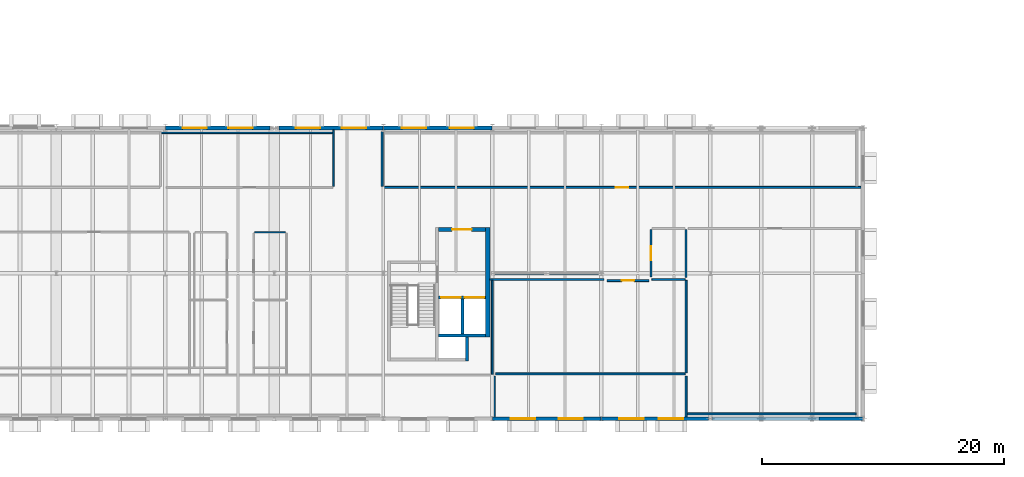
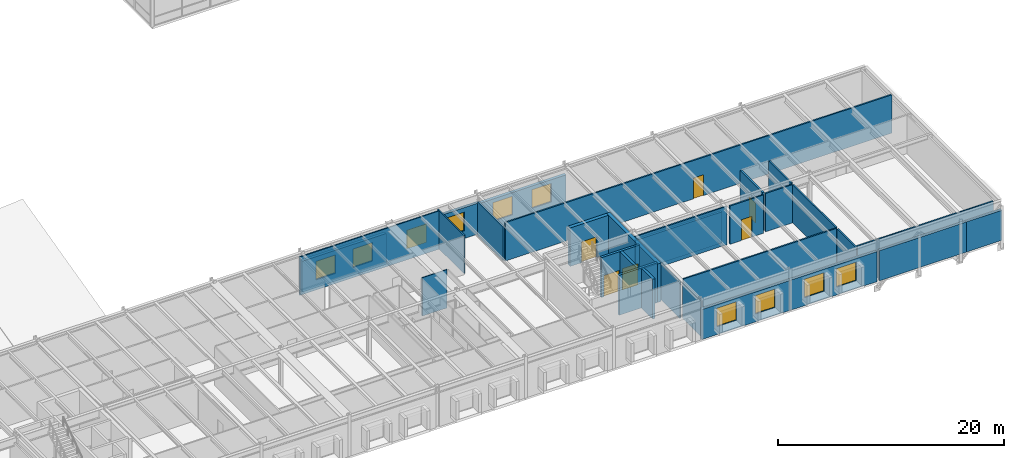
# One storey, part 58 of 67: 30 walls, 10 windows, 6 doors, 16 openings.
"""IFC4 building model written with IfcOpenShell, lengths in metres."""

from ifc_helpers import new_model, si_unit, direction, frame, frame_2d, origin, place, context, subcontext, project, spatial, rectangle, extrude, material, layer, layer_set, type_object, element, fill, save


model = new_model("IFC4")

# Units and contexts
model_context = context("Model", 3, precision=1e-05, world=origin(), true_north=direction((0.0, 1.0)))
body_context = subcontext(model_context, "Body", "Model", "MODEL_VIEW")
ifc_project = project(units=[si_unit("LENGTHUNIT", "METRE"), si_unit("AREAUNIT", "SQUARE_METRE"), si_unit("VOLUMEUNIT", "CUBIC_METRE"), si_unit("PLANEANGLEUNIT", "RADIAN"), si_unit("MASSUNIT", "GRAM", prefix="KILO")], contexts=[model_context])

# Site, building, storey
site_placement = place(None, origin())
site = spatial("IfcSite", under=ifc_project, at=site_placement, CompositionType="ELEMENT")
building_placement = place(site_placement, origin())
building = spatial("IfcBuilding", under=site, at=building_placement, Name="Montelvaro Courts of Justice", CompositionType="ELEMENT")
storey_placement = place(building_placement, frame((0.0, 0.0, 18.89990234375)))
storey = spatial("IfcBuildingStorey", under=building, at=storey_placement, Name="L04", CompositionType="ELEMENT", Elevation=18.89990234375)

# Wall, opening, door
ifc_material_1 = material(Name="Gypsum board on metal stud")
ifc_layer_1 = layer(ifc_material_1, 0.14990234375)
ifc_layer_set_1 = layer_set([ifc_layer_1], Name="Gypsum board on metal stud")
wall_type_1 = type_object("IfcWallType", Name="ChambersPartition_150", PredefinedType="PARTITIONING", material=ifc_layer_set_1)
wall_1_placement = place(storey_placement, frame((147.455078125, 19.10009765625, 0.0), z_axis=(0.0, 0.0, 1.0), x_axis=(-1.0, 0.0, 0.0)))
wall_1 = element("IfcWall", 1, at=wall_1_placement, inside=storey, type_object=wall_type_1, Name="Interior Partition IW-04 (L04)", PredefinedType="PARTITIONING", context=body_context, shape_type="SweptSolid", body=[
    extrude(rectangle(XDim=39.47509765625, YDim=0.14990234375, at=frame_2d((19.737548828125, 0.0))), origin(), (0.0, 0.0, 1.0), 4.14013671875),
])
opening_1_placement = place(wall_1_placement, frame((19.212890625, 0.0, 0.0)))
opening_1 = element("IfcOpeningElement", 2, at=opening_1_placement, cuts=wall_1, Name="Opening D-L04-137", PredefinedType="OPENING", context=body_context, shape_type="SweptSolid", body=[
    extrude(rectangle(XDim=1.050048828125, YDim=2.25, at=frame_2d((0.52490234375, 1.125))), frame((0.0, 0.08984375, 0.0), z_axis=(0.0, -1.0, 0.0), x_axis=(1.0, 0.0, 0.0)), (0.0, 0.0, 1.0), 0.1796875),
])
ifc_material_2 = material(Name="Acoustic oak timber veneer", Category="wood")
door_type_1 = type_object("IfcDoorType", Name="ChamberDoor_105x225", OperationType="NOTDEFINED", PredefinedType="DOOR", material=ifc_material_2)
door_1_placement = place(opening_1_placement, frame((1.050048828125, 0.0, 0.0), z_axis=(0.0, 0.0, 1.0), x_axis=(-1.0, 0.0, 0.0)))
door_1 = element("IfcDoor", 3, at=door_1_placement, inside=storey, type_object=door_type_1, Name="Interior Door D-L04-137 (East Cantilever Prosecutors' Chambers L04)", OperationType="SINGLE_SWING_RIGHT", OverallHeight=2.25, OverallWidth=1.050048828125, PredefinedType="DOOR", context=body_context, shape_type="SweptSolid", body=[
    extrude(rectangle(XDim=1.050048828125, YDim=2.25, at=frame_2d((0.52490234375, 1.125))), frame((0.0, 0.02490234375, 0.0), z_axis=(0.0, -1.0, 0.0), x_axis=(1.0, 0.0, 0.0)), (0.0, 0.0, 1.0), 0.050048828125),
])
fill(opening_1, door_1)

# Wall
wall_2_placement = place(storey_placement, frame((107.89990234375, 19.179931640625, 0.0), z_axis=(0.0, 0.0, 1.0), x_axis=(0.0, 1.0, 0.0)))
element("IfcWall", 4, at=wall_2_placement, inside=storey, type_object=wall_type_1, Name="Interior Partition IW-04 (L04)", PredefinedType="PARTITIONING", context=body_context, shape_type="SweptSolid", body=[
    extrude(rectangle(XDim=4.52197265625, YDim=0.14990234375, at=frame_2d((2.260986328125, 0.0))), origin(), (0.0, 0.0, 1.0), 3.655029296875),
])

# Wall, opening, door
wall_3_placement = place(storey_placement, frame((126.47998046875, 11.39990234375, 0.0), z_axis=(0.0, 0.0, 1.0), x_axis=(1.0, 0.0, 0.0)))
wall_3 = element("IfcWall", 5, at=wall_3_placement, inside=storey, type_object=wall_type_1, Name="Interior Partition IW-04 (L04)", PredefinedType="PARTITIONING", context=body_context, shape_type="SweptSolid", body=[
    extrude(rectangle(XDim=3.43994140625, YDim=0.14990234375, at=frame_2d((1.719970703125, 0.0))), origin(), (0.0, 0.0, 1.0), 4.14013671875),
])
opening_2_placement = place(wall_3_placement, frame((1.195068359375, 0.0, 0.0)))
opening_2 = element("IfcOpeningElement", 6, at=opening_2_placement, cuts=wall_3, Name="Opening D-L04-141", PredefinedType="OPENING", context=body_context, shape_type="SweptSolid", body=[
    extrude(rectangle(XDim=1.050048828125, YDim=2.25, at=frame_2d((0.52490234375, 1.125))), frame((0.0, 0.08984375, 0.0), z_axis=(0.0, -1.0, 0.0), x_axis=(1.0, 0.0, 0.0)), (0.0, 0.0, 1.0), 0.1796875),
])
door_2_placement = place(opening_2_placement, frame((1.050048828125, 0.0, 0.0), z_axis=(0.0, 0.0, 1.0), x_axis=(-1.0, 0.0, 0.0)))
door_2 = element("IfcDoor", 7, at=door_2_placement, inside=storey, type_object=door_type_1, Name="Interior Door D-L04-141 (Jury Deliberation Suite 01)", OperationType="SINGLE_SWING_RIGHT", OverallHeight=2.25, OverallWidth=1.050048828125, PredefinedType="DOOR", context=body_context, shape_type="SweptSolid", body=[
    extrude(rectangle(XDim=1.050048828125, YDim=2.25, at=frame_2d((0.52490234375, 1.125))), frame((0.0, 0.02490234375, 0.0), z_axis=(0.0, -1.0, 0.0), x_axis=(1.0, 0.0, 0.0)), (0.0, 0.0, 1.0), 0.050048828125),
])
fill(opening_2, door_2)

# Walls
wall_4_placement = place(storey_placement, frame((130.179931640625, 11.5, 0.0), z_axis=(0.0, 0.0, 1.0), x_axis=(1.0, 0.0, 0.0)))
element("IfcWall", 8, at=wall_4_placement, inside=storey, type_object=wall_type_1, Name="Interior Partition IW-04 (L04)", PredefinedType="PARTITIONING", context=body_context, shape_type="SweptSolid", body=[
    extrude(rectangle(XDim=2.739990234375, YDim=0.14990234375, at=frame_2d((1.3701171875, 0.0))), origin(), (0.0, 0.0, 1.0), 4.14013671875),
])
wall_5_placement = place(storey_placement, frame((133.0, 11.419921875, 0.0), z_axis=(0.0, 0.0, 1.0), x_axis=(0.0, -1.0, 0.0)))
element("IfcWall", 9, at=wall_5_placement, inside=storey, type_object=wall_type_1, Name="Interior Partition IW-04 (L04)", PredefinedType="PARTITIONING", context=body_context, shape_type="SweptSolid", body=[
    extrude(rectangle(XDim=7.639892578125, YDim=0.14990234375, at=frame_2d((3.81982421875, 0.0))), origin(), (0.0, 0.0, 1.0), 4.14013671875),
])
wall_6_placement = place(storey_placement, frame((132.919921875, 3.699951171875, 0.0), z_axis=(0.0, 0.0, 1.0), x_axis=(-1.0, 0.0, 0.0)))
element("IfcWall", 10, at=wall_6_placement, inside=storey, type_object=wall_type_1, Name="Interior Partition IW-04 (L04)", PredefinedType="PARTITIONING", context=body_context, shape_type="SweptSolid", body=[
    extrude(rectangle(XDim=15.639892578125, YDim=0.14990234375, at=frame_2d((7.81982421875, 0.0))), origin(), (0.0, 0.0, 1.0), 4.14013671875),
])
wall_7_placement = place(storey_placement, frame((117.0, 3.655029296875, 0.0), z_axis=(0.0, 0.0, 1.0), x_axis=(0.0, 1.0, 0.0)))
element("IfcWall", 11, at=wall_7_placement, inside=storey, type_object=wall_type_1, Name="Interior Partition IW-04 (L04)", PredefinedType="PARTITIONING", context=body_context, shape_type="SweptSolid", body=[
    extrude(rectangle(XDim=7.764892578125, YDim=0.14990234375, at=frame_2d((3.88232421875, 0.0))), origin(), (0.0, 0.0, 1.0), 3.905029296875),
])
wall_8_placement = place(storey_placement, frame((116.794921875, 11.5, 0.0), z_axis=(0.0, 0.0, 1.0), x_axis=(1.0, 0.0, 0.0)))
element("IfcWall", 12, at=wall_8_placement, inside=storey, type_object=wall_type_1, Name="Interior Partition IW-04 (L04)", PredefinedType="PARTITIONING", context=body_context, shape_type="SweptSolid", body=[
    extrude(rectangle(XDim=9.425048828125, YDim=0.14990234375, at=frame_2d((4.71240234375, 0.0))), origin(), (0.0, 0.0, 1.0), 4.14013671875),
])
wall_9_placement = place(storey_placement, frame((133.0, 0.14501953125, 0.0), z_axis=(0.0, 0.0, 1.0), x_axis=(0.0, 1.0, 0.0)))
element("IfcWall", 13, at=wall_9_placement, inside=storey, type_object=wall_type_1, Name="Interior Partition IW-04 (L04)", PredefinedType="PARTITIONING", context=body_context, shape_type="SweptSolid", body=[
    extrude(rectangle(XDim=3.375, YDim=0.14990234375, at=frame_2d((1.6875, 0.0))), origin(), (0.0, 0.0, 1.0), 4.14013671875),
])
wall_10_placement = place(storey_placement, frame((147.030029296875, 0.39990234375, 0.0), z_axis=(0.0, 0.0, 1.0), x_axis=(-1.0, 0.0, 0.0)))
element("IfcWall", 14, at=wall_10_placement, inside=storey, type_object=wall_type_1, Name="Interior Partition IW-04 (L04)", PredefinedType="PARTITIONING", context=body_context, shape_type="SweptSolid", body=[
    extrude(rectangle(XDim=13.9599609375, YDim=0.14990234375, at=frame_2d((6.97998046875, 0.0))), origin(), (0.0, 0.0, 1.0), 4.14013671875),
])

# Wall, opening, door
ifc_material_3 = material(Name="Concrete C40/50", Category="concrete")
ifc_layer_2 = layer(ifc_material_3, 0.360107421875)
ifc_layer_set_2 = layer_set([ifc_layer_2], Name="Concrete C40/50")
wall_type_2 = type_object("IfcWallType", Name="CoreWall_360", PredefinedType="SHEAR", material=ifc_layer_set_2)
wall_11_placement = place(storey_placement, frame((112.5400390625, 15.6201171875, 0.0), z_axis=(0.0, 0.0, 1.0), x_axis=(1.0, 0.0, 0.0)))
wall_11 = element("IfcWall", 15, at=wall_11_placement, inside=storey, type_object=wall_type_2, Name="Core Shear Wall CW-01 K2-N (L04)", PredefinedType="SHEAR", context=body_context, shape_type="SweptSolid", body=[
    extrude(rectangle(XDim=3.89990234375, YDim=0.360107421875, at=frame_2d((1.949951171875, 0.0))), origin(), (0.0, 0.0, 1.0), 4.16015625),
])
opening_3_placement = place(wall_11_placement, frame((1.14990234375, 0.0, 0.0)))
opening_3 = element("IfcOpeningElement", 16, at=opening_3_placement, cuts=wall_11, Name="Opening DL-L04-K2", PredefinedType="OPENING", context=body_context, shape_type="SweptSolid", body=[
    extrude(rectangle(XDim=1.60009765625, YDim=2.25, at=frame_2d((0.800048828125, 1.125))), frame((0.0, 0.19482421875, 0.0), z_axis=(0.0, -1.0, 0.0), x_axis=(1.0, 0.0, 0.0)), (0.0, 0.0, 1.0), 0.389892578125),
])
ifc_material_4 = material(Name="Galvanised steel S355 security door", Category="steel")
door_type_2 = type_object("IfcDoorType", Name="LobbyFireDoor_160x225", OperationType="DOUBLE_DOOR_SINGLE_SWING", PredefinedType="DOOR", material=ifc_material_4)
door_3_placement = place(opening_3_placement, origin())
door_3 = element("IfcDoor", 17, at=door_3_placement, inside=storey, type_object=door_type_2, Name="Core Lobby Fire Door DL-L04-K2", OperationType="DOUBLE_DOOR_SINGLE_SWING", OverallHeight=2.25, OverallWidth=1.60009765625, PredefinedType="DOOR", context=body_context, shape_type="SweptSolid", body=[
    extrude(rectangle(XDim=1.60009765625, YDim=2.25, at=frame_2d((0.800048828125, 1.125))), frame((0.0, 0.02490234375, 0.0), z_axis=(0.0, -1.0, 0.0), x_axis=(1.0, 0.0, 0.0)), (0.0, 0.0, 1.0), 0.050048828125),
])
fill(opening_3, door_3)

# Wall
wall_12_placement = place(storey_placement, frame((116.6201171875, 6.760009765625, 0.0), z_axis=(0.0, 0.0, 1.0), x_axis=(0.0, 1.0, 0.0)))
element("IfcWall", 18, at=wall_12_placement, inside=storey, type_object=wall_type_2, Name="Core Shear Wall CW-01 K2-E (L04)", PredefinedType="SHEAR", context=body_context, shape_type="SweptSolid", body=[
    extrude(rectangle(XDim=9.0400390625, YDim=0.360107421875, at=frame_2d((4.52001953125, 0.0))), origin(), (0.0, 0.0, 1.0), 4.16015625),
])

# Wall, opening, door
ifc_material_5 = material(Name="Fire-rated gypsum and steel stud", Category="steel")
ifc_layer_3 = layer(ifc_material_5, 0.179931640625)
ifc_layer_set_3 = layer_set([ifc_layer_3], Name="Fire-rated gypsum and steel stud")
wall_type_3 = type_object("IfcWallType", Name="CorridorFireWall_180", PredefinedType="PARTITIONING", material=ifc_layer_set_3)
wall_13_placement = place(storey_placement, frame((130.10009765625, 11.679931640625, 0.0), z_axis=(0.0, 0.0, 1.0), x_axis=(0.0, 1.0, 0.0)))
wall_13 = element("IfcWall", 19, at=wall_13_placement, inside=storey, type_object=wall_type_3, Name="Interior Partition IW-02 (L04)", PredefinedType="PARTITIONING", context=body_context, shape_type="SweptSolid", body=[
    extrude(rectangle(XDim=3.940185546875, YDim=0.179931640625, at=frame_2d((1.97021484375, 0.0))), origin(), (0.0, 0.0, 1.0), 4.14013671875),
])
opening_4_placement = place(wall_13_placement, frame((1.39501953125, 0.0, 0.0)))
opening_4 = element("IfcOpeningElement", 20, at=opening_4_placement, cuts=wall_13, Name="Opening D-L04-142", PredefinedType="OPENING", context=body_context, shape_type="SweptSolid", body=[
    extrude(rectangle(XDim=1.14990234375, YDim=2.14990234375, at=frame_2d((0.574951171875, 1.074951171875))), frame((0.0, 0.10498046875, 0.0), z_axis=(0.0, -1.0, 0.0), x_axis=(1.0, 0.0, 0.0)), (0.0, 0.0, 1.0), 0.209716796875),
])
door_type_3 = type_object("IfcDoorType", Name="CustodyDoor_115x215", OperationType="NOTDEFINED", PredefinedType="DOOR", material=ifc_material_4)
door_4_placement = place(opening_4_placement, origin())
door_4 = element("IfcDoor", 21, at=door_4_placement, inside=storey, type_object=door_type_3, Name="Interior Door D-L04-142 (Prosecution Case Archive L04)", OperationType="SINGLE_SWING_LEFT", OverallHeight=2.14990234375, OverallWidth=1.14990234375, PredefinedType="DOOR", context=body_context, shape_type="SweptSolid", body=[
    extrude(rectangle(XDim=1.14990234375, YDim=2.14990234375, at=frame_2d((0.574951171875, 1.074951171875))), frame((0.0, 0.02490234375, 0.0), z_axis=(0.0, -1.0, 0.0), x_axis=(1.0, 0.0, 0.0)), (0.0, 0.0, 1.0), 0.050048828125),
])
fill(opening_4, door_4)

# Wall
wall_14_placement = place(storey_placement, frame((133.0, 15.6201171875, 0.0), z_axis=(0.0, 0.0, 1.0), x_axis=(0.0, -1.0, 0.0)))
element("IfcWall", 22, at=wall_14_placement, inside=storey, type_object=wall_type_3, Name="Interior Partition IW-02 (L04)", PredefinedType="PARTITIONING", context=body_context, shape_type="SweptSolid", body=[
    extrude(rectangle(XDim=3.940185546875, YDim=0.179931640625, at=frame_2d((1.97021484375, 0.0))), origin(), (0.0, 0.0, 1.0), 4.14013671875),
])

# Wall, openings, windows
ifc_material_6 = material(Name="White mineral precast concrete C45/55", Category="concrete")
ifc_layer_4 = layer(ifc_material_6, 0.300048828125)
ifc_layer_set_4 = layer_set([ifc_layer_4], Name="White mineral precast concrete C45/55")
wall_type_4 = type_object("IfcWallType", Name="ExtWall_GFRC_300", PredefinedType="SOLIDWALL", material=ifc_layer_set_4)
wall_15_placement = place(storey_placement, frame((98.626953125, 24.0, 0.0), z_axis=(0.0, 0.0, 1.0), x_axis=(-1.0, 0.0, 0.0)))
wall_15 = element("IfcWall", 23, at=wall_15_placement, inside=storey, type_object=wall_type_4, Name="Exterior Facade Wall EW-02 (L04)", PredefinedType="SOLIDWALL", context=body_context, shape_type="SweptSolid", body=[
    extrude(rectangle(XDim=8.618896484375, YDim=0.300048828125, at=frame_2d((4.3095703125, 0.0))), origin(), (0.0, 0.0, 1.0), 3.34521484375),
])
opening_5_placement = place(wall_15_placement, frame((1.4130859375, 0.0, 0.85009765625)))
opening_5 = element("IfcOpeningElement", 24, at=opening_5_placement, cuts=wall_15, Name="Opening WE-11", PredefinedType="OPENING", context=body_context, shape_type="SweptSolid", body=[
    extrude(rectangle(XDim=2.0, YDim=2.0, at=frame_2d((1.0, 1.0))), frame((0.0, 0.1650390625, 0.0), z_axis=(0.0, -1.0, 0.0), x_axis=(1.0, 0.0, 0.0)), (0.0, 0.0, 1.0), 0.329833984375),
])
opening_6_placement = place(wall_15_placement, frame((5.2060546875, 0.0, 0.85009765625)))
opening_6 = element("IfcOpeningElement", 25, at=opening_6_placement, cuts=wall_15, Name="Opening WE-11", PredefinedType="OPENING", context=body_context, shape_type="SweptSolid", body=[
    extrude(rectangle(XDim=2.0, YDim=2.0, at=frame_2d((1.0, 1.0))), frame((0.0, 0.1650390625, 0.0), z_axis=(0.0, -1.0, 0.0), x_axis=(1.0, 0.0, 0.0)), (0.0, 0.0, 1.0), 0.329833984375),
])
ifc_material_7 = material(Name="Low-E solar control double glazing", Category="glass")
window_type = type_object("IfcWindowType", Name="Win_Sq_200x200", PartitioningType="SINGLE_PANEL", PredefinedType="WINDOW", material=ifc_material_7)
window_1_placement = place(opening_5_placement, origin())
window_1 = element("IfcWindow", 26, at=window_1_placement, inside=storey, type_object=window_type, Name="Window W-L04-213", OverallHeight=2.0, OverallWidth=2.0, PartitioningType="SINGLE_PANEL", PredefinedType="WINDOW", context=body_context, shape_type="SweptSolid", body=[
    extrude(rectangle(XDim=2.0, YDim=2.0, at=frame_2d((1.0, 1.0))), frame((0.0, 0.030029296875, 0.0), z_axis=(0.0, -1.0, 0.0), x_axis=(1.0, 0.0, 0.0)), (0.0, 0.0, 1.0), 0.06005859375),
])
fill(opening_5, window_1)
window_2_placement = place(opening_6_placement, origin())
window_2 = element("IfcWindow", 27, at=window_2_placement, inside=storey, type_object=window_type, Name="Window W-L04-214", OverallHeight=2.0, OverallWidth=2.0, PartitioningType="SINGLE_PANEL", PredefinedType="WINDOW", context=body_context, shape_type="SweptSolid", body=[
    extrude(rectangle(XDim=2.0, YDim=2.0, at=frame_2d((1.0, 1.0))), frame((0.0, 0.030029296875, 0.0), z_axis=(0.0, -1.0, 0.0), x_axis=(1.0, 0.0, 0.0)), (0.0, 0.0, 1.0), 0.06005859375),
])
fill(opening_6, window_2)

wall_16_placement = place(storey_placement, frame((117.008056640625, 0.0, 0.0), z_axis=(0.0, 0.0, 1.0), x_axis=(1.0, 0.0, 0.0)))
wall_16 = element("IfcWall", 28, at=wall_16_placement, inside=storey, type_object=wall_type_4, Name="Exterior Facade Wall EW-02 (L04)", PredefinedType="SOLIDWALL", context=body_context, shape_type="SweptSolid", body=[
    extrude(rectangle(XDim=8.98388671875, YDim=0.300048828125, at=frame_2d((4.491943359375, 0.0))), origin(), (0.0, 0.0, 1.0), 3.2470703125),
])
opening_7_placement = place(wall_16_placement, frame((1.51611328125, 0.0, 0.85009765625)))
opening_7 = element("IfcOpeningElement", 29, at=opening_7_placement, cuts=wall_16, Name="Opening WE-11", PredefinedType="OPENING", context=body_context, shape_type="SweptSolid", body=[
    extrude(rectangle(XDim=2.0, YDim=2.0, at=frame_2d((1.0, 1.0))), frame((0.0, 0.1650390625, 0.0), z_axis=(0.0, -1.0, 0.0), x_axis=(1.0, 0.0, 0.0)), (0.0, 0.0, 1.0), 0.329833984375),
])
opening_8_placement = place(wall_16_placement, frame((5.468017578125, 0.0, 0.85009765625)))
opening_8 = element("IfcOpeningElement", 30, at=opening_8_placement, cuts=wall_16, Name="Opening WE-11", PredefinedType="OPENING", context=body_context, shape_type="SweptSolid", body=[
    extrude(rectangle(XDim=2.0, YDim=2.0, at=frame_2d((1.0, 1.0))), frame((0.0, 0.1650390625, 0.0), z_axis=(0.0, -1.0, 0.0), x_axis=(1.0, 0.0, 0.0)), (0.0, 0.0, 1.0), 0.329833984375),
])
window_3_placement = place(opening_7_placement, origin())
window_3 = element("IfcWindow", 31, at=window_3_placement, inside=storey, type_object=window_type, Name="Window W-L04-221", OverallHeight=2.0, OverallWidth=2.0, PartitioningType="SINGLE_PANEL", PredefinedType="WINDOW", context=body_context, shape_type="SweptSolid", body=[
    extrude(rectangle(XDim=2.0, YDim=2.0, at=frame_2d((1.0, 1.0))), frame((0.0, 0.030029296875, 0.0), z_axis=(0.0, -1.0, 0.0), x_axis=(1.0, 0.0, 0.0)), (0.0, 0.0, 1.0), 0.06005859375),
])
fill(opening_7, window_3)
window_4_placement = place(opening_8_placement, origin())
window_4 = element("IfcWindow", 32, at=window_4_placement, inside=storey, type_object=window_type, Name="Window W-L04-222", OverallHeight=2.0, OverallWidth=2.0, PartitioningType="SINGLE_PANEL", PredefinedType="WINDOW", context=body_context, shape_type="SweptSolid", body=[
    extrude(rectangle(XDim=2.0, YDim=2.0, at=frame_2d((1.0, 1.0))), frame((0.0, 0.030029296875, 0.0), z_axis=(0.0, -1.0, 0.0), x_axis=(1.0, 0.0, 0.0)), (0.0, 0.0, 1.0), 0.06005859375),
])
fill(opening_8, window_4)

wall_17_placement = place(storey_placement, frame((126.008056640625, 0.0, 0.0), z_axis=(0.0, 0.0, 1.0), x_axis=(1.0, 0.0, 0.0)))
wall_17 = element("IfcWall", 33, at=wall_17_placement, inside=storey, type_object=wall_type_4, Name="Exterior Facade Wall EW-02 (L04)", PredefinedType="SOLIDWALL", context=body_context, shape_type="SweptSolid", body=[
    extrude(rectangle(XDim=8.85400390625, YDim=0.300048828125, at=frame_2d((4.427001953125, 0.0))), origin(), (0.0, 0.0, 1.0), 3.2470703125),
])
opening_9_placement = place(wall_17_placement, frame((1.47900390625, 0.0, 0.85009765625)))
opening_9 = element("IfcOpeningElement", 34, at=opening_9_placement, cuts=wall_17, Name="Opening WE-11", PredefinedType="OPENING", context=body_context, shape_type="SweptSolid", body=[
    extrude(rectangle(XDim=2.0, YDim=2.0, at=frame_2d((1.0, 1.0))), frame((0.0, 0.1650390625, 0.0), z_axis=(0.0, -1.0, 0.0), x_axis=(1.0, 0.0, 0.0)), (0.0, 0.0, 1.0), 0.329833984375),
])
opening_10_placement = place(wall_17_placement, frame((4.751953125, 0.0, 0.85009765625)))
opening_10 = element("IfcOpeningElement", 35, at=opening_10_placement, cuts=wall_17, Name="Opening WE-11", PredefinedType="OPENING", context=body_context, shape_type="SweptSolid", body=[
    extrude(rectangle(XDim=2.0, YDim=2.0, at=frame_2d((1.0, 1.0))), frame((0.0, 0.1650390625, 0.0), z_axis=(0.0, -1.0, 0.0), x_axis=(1.0, 0.0, 0.0)), (0.0, 0.0, 1.0), 0.329833984375),
])
window_5_placement = place(opening_9_placement, origin())
window_5 = element("IfcWindow", 36, at=window_5_placement, inside=storey, type_object=window_type, Name="Window W-L04-223", OverallHeight=2.0, OverallWidth=2.0, PartitioningType="SINGLE_PANEL", PredefinedType="WINDOW", context=body_context, shape_type="SweptSolid", body=[
    extrude(rectangle(XDim=2.0, YDim=2.0, at=frame_2d((1.0, 1.0))), frame((0.0, 0.030029296875, 0.0), z_axis=(0.0, -1.0, 0.0), x_axis=(1.0, 0.0, 0.0)), (0.0, 0.0, 1.0), 0.06005859375),
])
fill(opening_9, window_5)
window_6_placement = place(opening_10_placement, origin())
window_6 = element("IfcWindow", 37, at=window_6_placement, inside=storey, type_object=window_type, Name="Window W-L04-224", OverallHeight=2.0, OverallWidth=2.0, PartitioningType="SINGLE_PANEL", PredefinedType="WINDOW", context=body_context, shape_type="SweptSolid", body=[
    extrude(rectangle(XDim=2.0, YDim=2.0, at=frame_2d((1.0, 1.0))), frame((0.0, 0.030029296875, 0.0), z_axis=(0.0, -1.0, 0.0), x_axis=(1.0, 0.0, 0.0)), (0.0, 0.0, 1.0), 0.06005859375),
])
fill(opening_10, window_6)

# Walls
wall_18_placement = place(storey_placement, frame((135.137939453125, 0.0, 0.0), z_axis=(0.0, 0.0, 1.0), x_axis=(1.0, 0.0, 0.0)))
element("IfcWall", 38, at=wall_18_placement, inside=storey, type_object=wall_type_4, Name="Exterior Facade Wall EW-02 (L04)", PredefinedType="SOLIDWALL", context=body_context, shape_type="SweptSolid", body=[
    extrude(rectangle(XDim=8.8720703125, YDim=0.300048828125, at=frame_2d((4.43603515625, 0.0))), origin(), (0.0, 0.0, 1.0), 3.2470703125),
])
wall_19_placement = place(storey_placement, frame((143.989990234375, 0.0, 0.0), z_axis=(0.0, 0.0, 1.0), x_axis=(1.0, 0.0, 0.0)))
element("IfcWall", 39, at=wall_19_placement, inside=storey, type_object=wall_type_4, Name="Exterior Facade Wall EW-02 (L04)", PredefinedType="SOLIDWALL", context=body_context, shape_type="SweptSolid", body=[
    extrude(rectangle(XDim=3.64990234375, YDim=0.300048828125, at=frame_2d((1.824951171875, 0.0))), origin(), (0.0, 0.0, 1.0), 3.2470703125),
])

# Wall, openings, windows
wall_20_placement = place(storey_placement, frame((116.991943359375, 24.0, 0.0), z_axis=(0.0, 0.0, 1.0), x_axis=(-1.0, 0.0, 0.0)))
wall_20 = element("IfcWall", 40, at=wall_20_placement, inside=storey, type_object=wall_type_4, Name="Exterior Facade Wall EW-02 (L04)", PredefinedType="SOLIDWALL", context=body_context, shape_type="SweptSolid", body=[
    extrude(rectangle(XDim=8.98388671875, YDim=0.300048828125, at=frame_2d((4.491943359375, 0.0))), origin(), (0.0, 0.0, 1.0), 3.2470703125),
])
opening_11_placement = place(wall_20_placement, frame((1.51611328125, 0.0, 0.85009765625)))
opening_11 = element("IfcOpeningElement", 41, at=opening_11_placement, cuts=wall_20, Name="Opening WE-11", PredefinedType="OPENING", context=body_context, shape_type="SweptSolid", body=[
    extrude(rectangle(XDim=2.0, YDim=2.0, at=frame_2d((1.0, 1.0))), frame((0.0, 0.1650390625, 0.0), z_axis=(0.0, -1.0, 0.0), x_axis=(1.0, 0.0, 0.0)), (0.0, 0.0, 1.0), 0.329833984375),
])
opening_12_placement = place(wall_20_placement, frame((5.468017578125, 0.0, 0.85009765625)))
opening_12 = element("IfcOpeningElement", 42, at=opening_12_placement, cuts=wall_20, Name="Opening WE-11", PredefinedType="OPENING", context=body_context, shape_type="SweptSolid", body=[
    extrude(rectangle(XDim=2.0, YDim=2.0, at=frame_2d((1.0, 1.0))), frame((0.0, 0.1650390625, 0.0), z_axis=(0.0, -1.0, 0.0), x_axis=(1.0, 0.0, 0.0)), (0.0, 0.0, 1.0), 0.329833984375),
])
window_7_placement = place(opening_11_placement, origin())
window_7 = element("IfcWindow", 43, at=window_7_placement, inside=storey, type_object=window_type, Name="Window W-L04-233", OverallHeight=2.0, OverallWidth=2.0, PartitioningType="SINGLE_PANEL", PredefinedType="WINDOW", context=body_context, shape_type="SweptSolid", body=[
    extrude(rectangle(XDim=2.0, YDim=2.0, at=frame_2d((1.0, 1.0))), frame((0.0, 0.030029296875, 0.0), z_axis=(0.0, -1.0, 0.0), x_axis=(1.0, 0.0, 0.0)), (0.0, 0.0, 1.0), 0.06005859375),
])
fill(opening_11, window_7)
window_8_placement = place(opening_12_placement, origin())
window_8 = element("IfcWindow", 44, at=window_8_placement, inside=storey, type_object=window_type, Name="Window W-L04-234", OverallHeight=2.0, OverallWidth=2.0, PartitioningType="SINGLE_PANEL", PredefinedType="WINDOW", context=body_context, shape_type="SweptSolid", body=[
    extrude(rectangle(XDim=2.0, YDim=2.0, at=frame_2d((1.0, 1.0))), frame((0.0, 0.030029296875, 0.0), z_axis=(0.0, -1.0, 0.0), x_axis=(1.0, 0.0, 0.0)), (0.0, 0.0, 1.0), 0.06005859375),
])
fill(opening_12, window_8)

wall_21_placement = place(storey_placement, frame((107.991943359375, 24.0, 0.0), z_axis=(0.0, 0.0, 1.0), x_axis=(-1.0, 0.0, 0.0)))
wall_21 = element("IfcWall", 45, at=wall_21_placement, inside=storey, type_object=wall_type_4, Name="Exterior Facade Wall EW-02 (L04)", PredefinedType="SOLIDWALL", context=body_context, shape_type="SweptSolid", body=[
    extrude(rectangle(XDim=8.618896484375, YDim=0.300048828125, at=frame_2d((4.3095703125, 0.0))), origin(), (0.0, 0.0, 1.0), 3.34521484375),
])
opening_13_placement = place(wall_21_placement, frame((1.4130859375, 0.0, 0.85009765625)))
opening_13 = element("IfcOpeningElement", 46, at=opening_13_placement, cuts=wall_21, Name="Opening WE-11", PredefinedType="OPENING", context=body_context, shape_type="SweptSolid", body=[
    extrude(rectangle(XDim=2.0, YDim=2.0, at=frame_2d((1.0, 1.0))), frame((0.0, 0.1650390625, 0.0), z_axis=(0.0, -1.0, 0.0), x_axis=(1.0, 0.0, 0.0)), (0.0, 0.0, 1.0), 0.329833984375),
])
opening_14_placement = place(wall_21_placement, frame((5.2060546875, 0.0, 0.85009765625)))
opening_14 = element("IfcOpeningElement", 47, at=opening_14_placement, cuts=wall_21, Name="Opening WE-11", PredefinedType="OPENING", context=body_context, shape_type="SweptSolid", body=[
    extrude(rectangle(XDim=2.0, YDim=2.0, at=frame_2d((1.0, 1.0))), frame((0.0, 0.1650390625, 0.0), z_axis=(0.0, -1.0, 0.0), x_axis=(1.0, 0.0, 0.0)), (0.0, 0.0, 1.0), 0.329833984375),
])
window_9_placement = place(opening_13_placement, origin())
window_9 = element("IfcWindow", 48, at=window_9_placement, inside=storey, type_object=window_type, Name="Window W-L04-235", OverallHeight=2.0, OverallWidth=2.0, PartitioningType="SINGLE_PANEL", PredefinedType="WINDOW", context=body_context, shape_type="SweptSolid", body=[
    extrude(rectangle(XDim=2.0, YDim=2.0, at=frame_2d((1.0, 1.0))), frame((0.0, 0.030029296875, 0.0), z_axis=(0.0, -1.0, 0.0), x_axis=(1.0, 0.0, 0.0)), (0.0, 0.0, 1.0), 0.06005859375),
])
fill(opening_13, window_9)
window_10_placement = place(opening_14_placement, origin())
window_10 = element("IfcWindow", 49, at=window_10_placement, inside=storey, type_object=window_type, Name="Window W-L04-236", OverallHeight=2.0, OverallWidth=2.0, PartitioningType="SINGLE_PANEL", PredefinedType="WINDOW", context=body_context, shape_type="SweptSolid", body=[
    extrude(rectangle(XDim=2.0, YDim=2.0, at=frame_2d((1.0, 1.0))), frame((0.0, 0.030029296875, 0.0), z_axis=(0.0, -1.0, 0.0), x_axis=(1.0, 0.0, 0.0)), (0.0, 0.0, 1.0), 0.06005859375),
])
fill(opening_14, window_10)

# Walls
ifc_layer_5 = layer(ifc_material_1, 0.1201171875)
ifc_layer_set_5 = layer_set([ifc_layer_5], Name="Gypsum board on metal stud")
wall_type_5 = type_object("IfcWallType", Name="OfficePartition_120", PredefinedType="PARTITIONING", material=ifc_layer_set_5)
wall_22_placement = place(storey_placement, frame((117.199951171875, 3.52001953125, 0.0), z_axis=(0.0, 0.0, 1.0), x_axis=(0.0, -1.0, 0.0)))
element("IfcWall", 50, at=wall_22_placement, inside=storey, type_object=wall_type_5, Name="Interior Partition IW-05 (L04)", PredefinedType="PARTITIONING", context=body_context, shape_type="SweptSolid", body=[
    extrude(rectangle(XDim=3.35205078125, YDim=0.1201171875, at=frame_2d((1.676025390625, 0.0))), origin(), (0.0, 0.0, 1.0), 3.905029296875),
])
wall_23_placement = place(storey_placement, frame((89.60791015625, 23.60009765625, 0.0), z_axis=(0.0, 0.0, 1.0), x_axis=(1.0, 0.0, 0.0)))
element("IfcWall", 51, at=wall_23_placement, inside=storey, type_object=wall_type_5, Name="Interior Partition IW-05 (L04)", PredefinedType="PARTITIONING", context=body_context, shape_type="SweptSolid", body=[
    extrude(rectangle(XDim=14.212158203125, YDim=0.1201171875, at=frame_2d((7.10595703125, 0.0))), origin(), (0.0, 0.0, 1.0), 4.14013671875),
])
wall_24_placement = place(storey_placement, frame((103.89990234375, 23.85498046875, 0.0), z_axis=(0.0, 0.0, 1.0), x_axis=(0.0, -1.0, 0.0)))
element("IfcWall", 52, at=wall_24_placement, inside=storey, type_object=wall_type_5, Name="Interior Partition IW-05 (L04)", PredefinedType="PARTITIONING", context=body_context, shape_type="SweptSolid", body=[
    extrude(rectangle(XDim=4.675048828125, YDim=0.1201171875, at=frame_2d((2.33740234375, 0.0))), origin(), (0.0, 0.0, 1.0), 4.14013671875),
])

# Wall, openings, doors
ifc_material_8 = material(Name="Concrete C35/45", Category="concrete")
ifc_layer_6 = layer(ifc_material_8, 0.239990234375)
ifc_layer_set_6 = layer_set([ifc_layer_6], Name="Concrete C35/45")
wall_type_6 = type_object("IfcWallType", Name="ShaftWall_240", PredefinedType="SHEAR", material=ifc_layer_set_6)
wall_25_placement = place(storey_placement, frame((112.5400390625, 10.02001953125, 0.0), z_axis=(0.0, 0.0, 1.0), x_axis=(1.0, 0.0, 0.0)))
wall_25 = element("IfcWall", 53, at=wall_25_placement, inside=storey, type_object=wall_type_6, Name="Lift Shaft Bank Wall K2 (L04)", PredefinedType="SHEAR", context=body_context, shape_type="SweptSolid", body=[
    extrude(rectangle(XDim=3.89990234375, YDim=0.239990234375, at=frame_2d((1.949951171875, 0.0))), origin(), (0.0, 0.0, 1.0), 4.31005859375),
])
opening_15_placement = place(wall_25_placement, frame((0.235107421875, 0.0, 0.0)))
opening_15 = element("IfcOpeningElement", 54, at=opening_15_placement, cuts=wall_25, Name="Opening LD-LF-02-L04", PredefinedType="OPENING", context=body_context, shape_type="SweptSolid", body=[
    extrude(rectangle(XDim=1.60009765625, YDim=2.300048828125, at=frame_2d((0.800048828125, 1.14990234375))), frame((0.0, 0.134765625, 0.0), z_axis=(0.0, -1.0, 0.0), x_axis=(1.0, 0.0, 0.0)), (0.0, 0.0, 1.0), 0.269775390625),
])
opening_16_placement = place(wall_25_placement, frame((2.18505859375, 0.0, 0.0)))
opening_16 = element("IfcOpeningElement", 55, at=opening_16_placement, cuts=wall_25, Name="Opening LD-LJ-02-L04", PredefinedType="OPENING", context=body_context, shape_type="SweptSolid", body=[
    extrude(rectangle(XDim=1.60009765625, YDim=2.300048828125, at=frame_2d((0.800048828125, 1.14990234375))), frame((0.0, 0.134765625, 0.0), z_axis=(0.0, -1.0, 0.0), x_axis=(1.0, 0.0, 0.0)), (0.0, 0.0, 1.0), 0.269775390625),
])
door_type_4 = type_object("IfcDoorType", Name="LiftDoor_160x230", OperationType="DOUBLE_DOOR_SLIDING", PredefinedType="DOOR", material=ifc_material_4)
door_5_placement = place(opening_15_placement, origin())
door_5 = element("IfcDoor", 56, at=door_5_placement, inside=storey, type_object=door_type_4, Name="Lift Landing Sliding Door LD-LF-02-L04", OperationType="DOUBLE_DOOR_SLIDING", OverallHeight=2.300048828125, OverallWidth=1.60009765625, PredefinedType="DOOR", context=body_context, shape_type="SweptSolid", body=[
    extrude(rectangle(XDim=1.60009765625, YDim=2.300048828125, at=frame_2d((0.800048828125, 1.14990234375))), frame((0.0, 0.02490234375, 0.0), z_axis=(0.0, -1.0, 0.0), x_axis=(1.0, 0.0, 0.0)), (0.0, 0.0, 1.0), 0.050048828125),
])
fill(opening_15, door_5)
door_6_placement = place(opening_16_placement, origin())
door_6 = element("IfcDoor", 57, at=door_6_placement, inside=storey, type_object=door_type_4, Name="Lift Landing Sliding Door LD-LJ-02-L04", OperationType="DOUBLE_DOOR_SLIDING", OverallHeight=2.300048828125, OverallWidth=1.60009765625, PredefinedType="DOOR", context=body_context, shape_type="SweptSolid", body=[
    extrude(rectangle(XDim=1.60009765625, YDim=2.300048828125, at=frame_2d((0.800048828125, 1.14990234375))), frame((0.0, 0.02490234375, 0.0), z_axis=(0.0, -1.0, 0.0), x_axis=(1.0, 0.0, 0.0)), (0.0, 0.0, 1.0), 0.050048828125),
])
fill(opening_16, door_6)

# Walls
wall_26_placement = place(storey_placement, frame((112.5400390625, 6.8798828125, 0.0), z_axis=(0.0, 0.0, 1.0), x_axis=(1.0, 0.0, 0.0)))
element("IfcWall", 58, at=wall_26_placement, inside=storey, type_object=wall_type_6, Name="Lift Shaft Back Wall K2 (L04)", PredefinedType="SHEAR", context=body_context, shape_type="SweptSolid", body=[
    extrude(rectangle(XDim=3.89990234375, YDim=0.239990234375, at=frame_2d((1.949951171875, 0.0))), origin(), (0.0, 0.0, 1.0), 4.31005859375),
])
wall_27_placement = place(storey_placement, frame((114.550048828125, 7.0, 0.0), z_axis=(0.0, 0.0, 1.0), x_axis=(0.0, 1.0, 0.0)))
element("IfcWall", 59, at=wall_27_placement, inside=storey, type_object=wall_type_6, Name="Lift Shaft Divider Wall K2-LFD1 (L04)", PredefinedType="SHEAR", context=body_context, shape_type="SweptSolid", body=[
    extrude(rectangle(XDim=2.89990234375, YDim=0.239990234375, at=frame_2d((1.449951171875, 0.0))), origin(), (0.0, 0.0, 1.0), 4.31005859375),
])
wall_28_placement = place(storey_placement, frame((114.919921875, 4.760009765625, 0.0), z_axis=(0.0, 0.0, 1.0), x_axis=(0.0, 1.0, 0.0)))
element("IfcWall", 60, at=wall_28_placement, inside=storey, type_object=wall_type_6, Name="Service Riser East Shaft Wall K2 (L04)", PredefinedType="SHEAR", context=body_context, shape_type="SweptSolid", body=[
    extrude(rectangle(XDim=2.0, YDim=0.239990234375, at=frame_2d((1.0, 0.0))), origin(), (0.0, 0.0, 1.0), 4.31005859375),
])
wall_29_placement = place(storey_placement, frame((117.177978515625, 12.0, 0.0), z_axis=(0.0, 0.0, 1.0), x_axis=(1.0, 0.0, 0.0)))
element("IfcWall", 61, at=wall_29_placement, inside=storey, type_object=wall_type_6, Name="Enclosed Braced Frame Structural Wall CBF2 (L04)", PredefinedType="SHEAR", context=body_context, shape_type="SweptSolid", body=[
    extrude(rectangle(XDim=8.81396484375, YDim=0.239990234375, at=frame_2d((4.406982421875, 0.0))), origin(), (0.0, 0.0, 1.0), 3.35498046875),
])
ifc_material_9 = material(Name="Moisture-resistant cement board")
ifc_layer_7 = layer(ifc_material_9, 0.10009765625)
ifc_layer_set_7 = layer_set([ifc_layer_7], Name="Moisture-resistant cement board")
wall_type_7 = type_object("IfcWallType", Name="WetWall_100", PredefinedType="PARTITIONING", material=ifc_layer_set_7)
wall_30_placement = place(storey_placement, frame((97.3798828125, 15.39990234375, 0.0), z_axis=(0.0, 0.0, 1.0), x_axis=(1.0, 0.0, 0.0)))
element("IfcWall", 62, at=wall_30_placement, inside=storey, type_object=wall_type_7, Name="Interior Partition IW-06 (L04)", PredefinedType="PARTITIONING", context=body_context, shape_type="SweptSolid", body=[
    extrude(rectangle(XDim=2.5400390625, YDim=0.10009765625, at=frame_2d((1.27001953125, 0.0))), origin(), (0.0, 0.0, 1.0), 4.14013671875),
])

save(model, "model.ifc")
